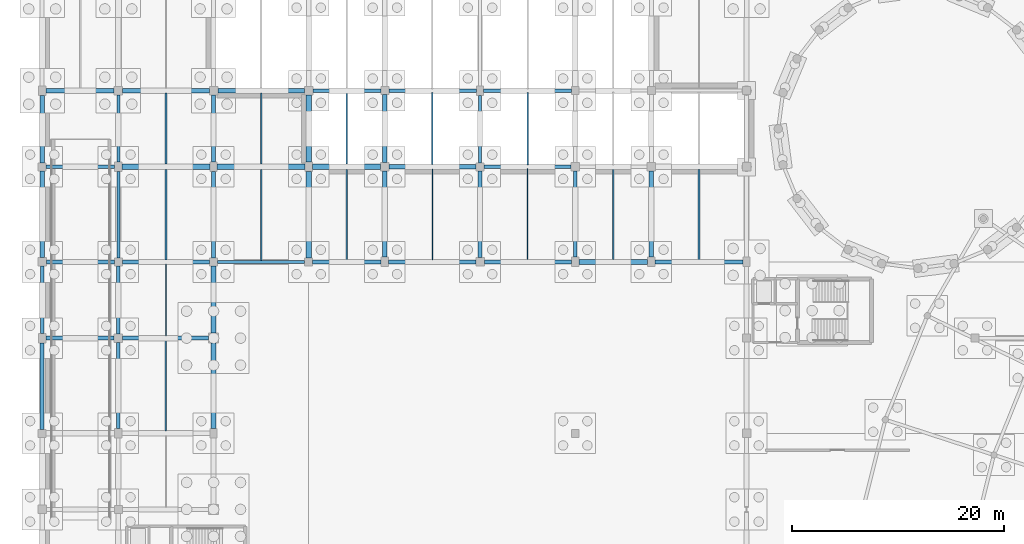
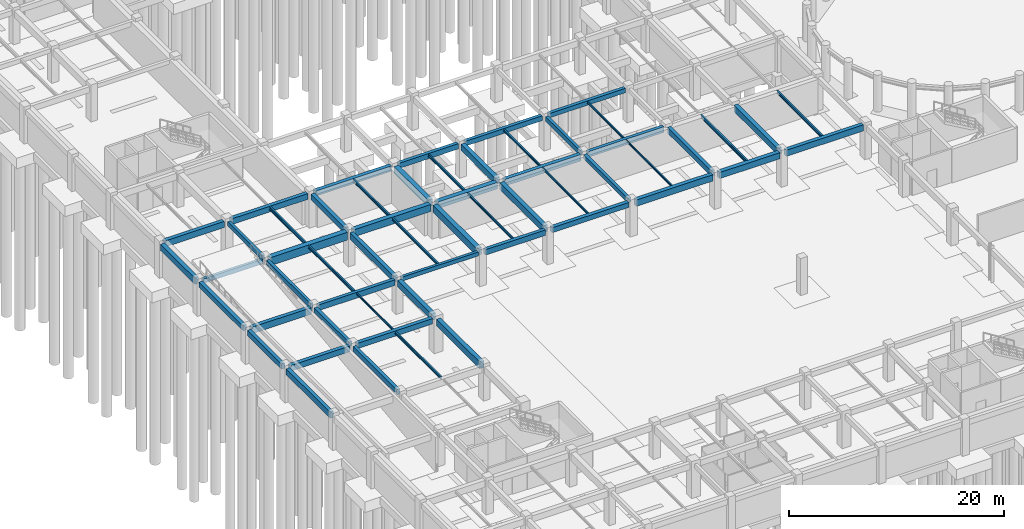
# One storey, part 18 of 42: 56 beams.
"""IFC4 building model written with IfcOpenShell, lengths in metres."""

from ifc_helpers import new_model, si_unit, direction, frame, origin, origin_2d, place, context, subcontext, project, spatial, rectangle, i_section, extrude, material, material_profile, profile_set, type_object, element, save


model = new_model("IFC4")

# Units and contexts
model_context = context("Model", 3, precision=1e-05, world=origin(), true_north=direction((0.0, 1.0)))
body_context = subcontext(model_context, "Body", "Model", "MODEL_VIEW")
ifc_project = project(units=[si_unit("LENGTHUNIT", "METRE"), si_unit("AREAUNIT", "SQUARE_METRE"), si_unit("VOLUMEUNIT", "CUBIC_METRE"), si_unit("PLANEANGLEUNIT", "RADIAN"), si_unit("MASSUNIT", "GRAM", prefix="KILO")], contexts=[model_context])

# Site, building, storey
site_placement = place(None, origin())
site = spatial("IfcSite", under=ifc_project, at=site_placement, CompositionType="ELEMENT")
building_placement = place(site_placement, origin())
building = spatial("IfcBuilding", under=site, at=building_placement, Name="Clarverna Civic Hall", CompositionType="ELEMENT")
storey_placement = place(building_placement, frame((0.0, 0.0, -4.199951171875)))
storey = spatial("IfcBuildingStorey", under=building, at=storey_placement, Name="B01", CompositionType="ELEMENT", Elevation=-4.199951171875)

# Beams
ifc_material_1 = material(Name="Concrete C35/45", Category="concrete")
ifc_material_profile_1 = material_profile(ifc_material_1, rectangle(XDim=0.35009765625, YDim=0.5, at=origin_2d()), Name="RC 350x500")
ifc_profile_set_1 = profile_set([ifc_material_profile_1], Name="Concrete C35/45")
beam_type_1 = type_object("IfcBeamType", Name="B-RC10", PredefinedType="BEAM", material=ifc_profile_set_1)
beam_1_placement = place(storey_placement, frame((41.75, 62.60009765625, 3.58984375), z_axis=(1.0, 0.0, 0.0), x_axis=(0.0, 1.0, 0.0)))
element("IfcBeam", 1, at=beam_1_placement, inside=storey, type_object=beam_type_1, Name="B-RC10-006", PredefinedType="BEAM", context=body_context, shape_type="SweptSolid", body=[
    extrude(rectangle(XDim=0.35009765625, YDim=0.5, at=origin_2d()), origin(), (0.0, 0.0, 1.0), 8.27490234375),
])
beam_2_placement = place(storey_placement, frame((7.199951171875, 39.60009765625, 3.58984375), z_axis=(0.0, 1.0, 0.0), x_axis=(-1.0, 0.0, 0.0)))
element("IfcBeam", 2, at=beam_2_placement, inside=storey, type_object=beam_type_1, Name="B-RC10-010", PredefinedType="BEAM", context=body_context, shape_type="SweptSolid", body=[
    extrude(rectangle(XDim=0.35009765625, YDim=0.5, at=origin_2d()), origin(), (0.0, 0.0, 1.0), 6.4248046875),
])
beam_3_placement = place(storey_placement, frame((41.39990234375, 46.800048828125, 3.58984375), z_axis=(0.0, 1.0, 0.0), x_axis=(-1.0, 0.0, 0.0)))
element("IfcBeam", 3, at=beam_3_placement, inside=storey, type_object=beam_type_1, Name="B-RC10-011", PredefinedType="BEAM", context=body_context, shape_type="SweptSolid", body=[
    extrude(rectangle(XDim=0.35009765625, YDim=0.5, at=origin_2d()), origin(), (0.0, 0.0, 1.0), 8.224853515625),
])
ifc_material_profile_2 = material_profile(ifc_material_1, rectangle(XDim=0.300048828125, YDim=0.550048828125, at=origin_2d()), Name="RC 300x550")
ifc_profile_set_2 = profile_set([ifc_material_profile_2], Name="Concrete C35/45")
beam_type_2 = type_object("IfcBeamType", Name="B-RC11", PredefinedType="BEAM", material=ifc_profile_set_2)
beam_4_placement = place(storey_placement, frame((7.199951171875, 46.77490234375, 3.56494140625), z_axis=(0.0, 1.0, 0.0), x_axis=(-1.0, 0.0, 0.0)))
element("IfcBeam", 4, at=beam_4_placement, inside=storey, type_object=beam_type_2, Name="B-RC11-010", PredefinedType="BEAM", context=body_context, shape_type="SweptSolid", body=[
    extrude(rectangle(XDim=0.300048828125, YDim=0.550048828125, at=origin_2d()), origin(), (0.0, 0.0, 1.0), 8.175048828125),
])
beam_5_placement = place(storey_placement, frame((41.39990234375, 55.77490234375, 3.56494140625), z_axis=(0.0, 1.0, 0.0), x_axis=(-1.0, 0.0, 0.0)))
element("IfcBeam", 5, at=beam_5_placement, inside=storey, type_object=beam_type_2, Name="B-RC11-011", PredefinedType="BEAM", context=body_context, shape_type="SweptSolid", body=[
    extrude(rectangle(XDim=0.300048828125, YDim=0.550048828125, at=origin_2d()), origin(), (0.0, 0.0, 1.0), 6.375),
])
ifc_material_profile_3 = material_profile(ifc_material_1, rectangle(XDim=0.300048828125, YDim=0.5, at=origin_2d()), Name="RC 300x500")
ifc_profile_set_3 = profile_set([ifc_material_profile_3], Name="Concrete C35/45")
beam_type_3 = type_object("IfcBeamType", Name="B-RC12", PredefinedType="BEAM", material=ifc_profile_set_3)
beam_6_placement = place(storey_placement, frame((0.375, 55.39990234375, 3.58984375), z_axis=(1.0, 0.0, 0.0), x_axis=(0.0, 1.0, 0.0)))
element("IfcBeam", 6, at=beam_6_placement, inside=storey, type_object=beam_type_3, Name="B-RC12-005", PredefinedType="BEAM", context=body_context, shape_type="SweptSolid", body=[
    extrude(rectangle(XDim=0.300048828125, YDim=0.5, at=origin_2d()), origin(), (0.0, 0.0, 1.0), 6.47509765625),
])
beam_7_placement = place(storey_placement, frame((7.199951171875, 55.85009765625, 3.58984375), z_axis=(0.0, 1.0, 0.0), x_axis=(-1.0, 0.0, 0.0)))
element("IfcBeam", 7, at=beam_7_placement, inside=storey, type_object=beam_type_3, Name="B-RC12-010", PredefinedType="BEAM", context=body_context, shape_type="SweptSolid", body=[
    extrude(rectangle(XDim=0.300048828125, YDim=0.5, at=origin_2d()), origin(), (0.0, 0.0, 1.0), 6.349853515625),
])
ifc_material_profile_4 = material_profile(ifc_material_1, rectangle(XDim=0.550048828125, YDim=0.89990234375, at=origin_2d()), Name="RC 550x900")
ifc_profile_set_4 = profile_set([ifc_material_profile_4], Name="Concrete C35/45")
beam_type_4 = type_object("IfcBeamType", Name="B-RC13", PredefinedType="BEAM", material=ifc_profile_set_4)
beam_8_placement = place(storey_placement, frame((7.550048828125, 55.39990234375, 3.389892578125), z_axis=(1.0, 0.0, 0.0), x_axis=(0.0, 1.0, 0.0)))
element("IfcBeam", 8, at=beam_8_placement, inside=storey, type_object=beam_type_4, Name="B-RC13-005", PredefinedType="BEAM", context=body_context, shape_type="SweptSolid", body=[
    extrude(rectangle(XDim=0.550048828125, YDim=0.89990234375, at=origin_2d()), origin(), (0.0, 0.0, 1.0), 8.300048828125),
])
ifc_material_profile_5 = material_profile(ifc_material_1, rectangle(XDim=0.5, YDim=0.800048828125, at=origin_2d()), Name="RC 500x800")
ifc_profile_set_5 = profile_set([ifc_material_profile_5], Name="Concrete C35/45")
beam_type_5 = type_object("IfcBeamType", Name="B-RC14", PredefinedType="BEAM", material=ifc_profile_set_5)
beam_9_placement = place(storey_placement, frame((16.550048828125, 55.39990234375, 3.43994140625), z_axis=(1.0, 0.0, 0.0), x_axis=(0.0, 1.0, 0.0)))
element("IfcBeam", 9, at=beam_9_placement, inside=storey, type_object=beam_type_5, Name="B-RC14-005", PredefinedType="BEAM", context=body_context, shape_type="SweptSolid", body=[
    extrude(rectangle(XDim=0.5, YDim=0.800048828125, at=origin_2d()), origin(), (0.0, 0.0, 1.0), 8.300048828125),
])
beam_10_placement = place(storey_placement, frame((25.199951171875, 46.77490234375, 3.43994140625), z_axis=(0.0, 1.0, 0.0), x_axis=(-1.0, 0.0, 0.0)))
element("IfcBeam", 10, at=beam_10_placement, inside=storey, type_object=beam_type_5, Name="B-RC14-010", PredefinedType="BEAM", context=body_context, shape_type="SweptSolid", body=[
    extrude(rectangle(XDim=0.5, YDim=0.800048828125, at=origin_2d()), origin(), (0.0, 0.0, 1.0), 8.175048828125),
])
ifc_material_profile_6 = material_profile(ifc_material_1, rectangle(XDim=0.5, YDim=0.75, at=origin_2d()), Name="RC 500x750")
ifc_profile_set_6 = profile_set([ifc_material_profile_6], Name="Concrete C35/45")
beam_type_6 = type_object("IfcBeamType", Name="B-RC15", PredefinedType="BEAM", material=ifc_profile_set_6)
beam_11_placement = place(storey_placement, frame((25.550048828125, 55.39990234375, 3.46484375), z_axis=(1.0, 0.0, 0.0), x_axis=(0.0, 1.0, 0.0)))
element("IfcBeam", 11, at=beam_11_placement, inside=storey, type_object=beam_type_6, Name="B-RC15-005", PredefinedType="BEAM", context=body_context, shape_type="SweptSolid", body=[
    extrude(rectangle(XDim=0.5, YDim=0.75, at=origin_2d()), origin(), (0.0, 0.0, 1.0), 6.449951171875),
])
beam_12_placement = place(storey_placement, frame((25.199951171875, 55.85009765625, 3.46484375), z_axis=(0.0, 1.0, 0.0), x_axis=(-1.0, 0.0, 0.0)))
element("IfcBeam", 12, at=beam_12_placement, inside=storey, type_object=beam_type_6, Name="B-RC15-010", PredefinedType="BEAM", context=body_context, shape_type="SweptSolid", body=[
    extrude(rectangle(XDim=0.5, YDim=0.75, at=origin_2d()), origin(), (0.0, 0.0, 1.0), 6.349853515625),
])
ifc_material_profile_7 = material_profile(ifc_material_1, rectangle(XDim=0.39990234375, YDim=0.75, at=origin_2d()), Name="RC 400x750")
ifc_profile_set_7 = profile_set([ifc_material_profile_7], Name="Concrete C35/45")
beam_type_7 = type_object("IfcBeamType", Name="B-RC16", PredefinedType="BEAM", material=ifc_profile_set_7)
beam_13_placement = place(storey_placement, frame((0.39990234375, 46.39990234375, 3.46484375), z_axis=(1.0, 0.0, 0.0), x_axis=(0.0, 1.0, 0.0)))
element("IfcBeam", 13, at=beam_13_placement, inside=storey, type_object=beam_type_7, Name="B-RC16-004", PredefinedType="BEAM", context=body_context, shape_type="SweptSolid", body=[
    extrude(rectangle(XDim=0.39990234375, YDim=0.75, at=origin_2d()), origin(), (0.0, 0.0, 1.0), 6.425048828125),
])
beam_14_placement = place(storey_placement, frame((32.800048828125, 55.39990234375, 3.46484375), z_axis=(1.0, 0.0, 0.0), x_axis=(0.0, 1.0, 0.0)))
element("IfcBeam", 14, at=beam_14_placement, inside=storey, type_object=beam_type_7, Name="B-RC16-005", PredefinedType="BEAM", context=body_context, shape_type="SweptSolid", body=[
    extrude(rectangle(XDim=0.39990234375, YDim=0.75, at=origin_2d()), origin(), (0.0, 0.0, 1.0), 8.224853515625),
])
ifc_material_profile_8 = material_profile(ifc_material_1, rectangle(XDim=0.35009765625, YDim=0.64990234375, at=origin_2d()), Name="RC 350x650")
ifc_profile_set_8 = profile_set([ifc_material_profile_8], Name="Concrete C35/45")
beam_type_8 = type_object("IfcBeamType", Name="B-RC17", PredefinedType="BEAM", material=ifc_profile_set_8)
beam_15_placement = place(storey_placement, frame((7.574951171875, 46.39990234375, 3.514892578125), z_axis=(1.0, 0.0, 0.0), x_axis=(0.0, 1.0, 0.0)))
element("IfcBeam", 15, at=beam_15_placement, inside=storey, type_object=beam_type_8, Name="B-RC17-004", PredefinedType="BEAM", context=body_context, shape_type="SweptSolid", body=[
    extrude(rectangle(XDim=0.35009765625, YDim=0.64990234375, at=origin_2d()), origin(), (0.0, 0.0, 1.0), 8.25),
])
beam_16_placement = place(storey_placement, frame((41.77490234375, 55.39990234375, 3.514892578125), z_axis=(1.0, 0.0, 0.0), x_axis=(0.0, 1.0, 0.0)))
element("IfcBeam", 16, at=beam_16_placement, inside=storey, type_object=beam_type_8, Name="B-RC17-005", PredefinedType="BEAM", context=body_context, shape_type="SweptSolid", body=[
    extrude(rectangle(XDim=0.35009765625, YDim=0.64990234375, at=origin_2d()), origin(), (0.0, 0.0, 1.0), 8.22509765625),
])
beam_17_placement = place(storey_placement, frame((50.39990234375, 46.85009765625, 3.514892578125), z_axis=(0.0, 1.0, 0.0), x_axis=(-1.0, 0.0, 0.0)))
element("IfcBeam", 17, at=beam_17_placement, inside=storey, type_object=beam_type_8, Name="B-RC17-012", PredefinedType="BEAM", context=body_context, shape_type="SweptSolid", body=[
    extrude(rectangle(XDim=0.35009765625, YDim=0.64990234375, at=origin_2d()), origin(), (0.0, 0.0, 1.0), 8.14990234375),
])
ifc_material_profile_9 = material_profile(ifc_material_1, rectangle(XDim=0.300048828125, YDim=0.449951171875, at=origin_2d()), Name="RC 300x450")
ifc_profile_set_9 = profile_set([ifc_material_profile_9], Name="Concrete C35/45")
beam_type_9 = type_object("IfcBeamType", Name="B-RC18", PredefinedType="BEAM", material=ifc_profile_set_9)
beam_18_placement = place(storey_placement, frame((16.574951171875, 46.39990234375, 3.614990234375), z_axis=(1.0, 0.0, 0.0), x_axis=(0.0, 1.0, 0.0)))
element("IfcBeam", 18, at=beam_18_placement, inside=storey, type_object=beam_type_9, Name="B-RC18-004", PredefinedType="BEAM", context=body_context, shape_type="SweptSolid", body=[
    extrude(rectangle(XDim=0.300048828125, YDim=0.449951171875, at=origin_2d()), origin(), (0.0, 0.0, 1.0), 8.25),
])
ifc_material_profile_10 = material_profile(ifc_material_1, rectangle(XDim=0.449951171875, YDim=0.75, at=origin_2d()), Name="RC 450x750")
ifc_profile_set_10 = profile_set([ifc_material_profile_10], Name="Concrete C35/45")
beam_type_10 = type_object("IfcBeamType", Name="B-RC3", PredefinedType="BEAM", material=ifc_profile_set_10)
beam_19_placement = place(storey_placement, frame((16.199951171875, 30.64990234375, 3.46484375), z_axis=(0.0, 1.0, 0.0), x_axis=(-1.0, 0.0, 0.0)))
element("IfcBeam", 19, at=beam_19_placement, inside=storey, type_object=beam_type_10, Name="B-RC3-008", PredefinedType="BEAM", context=body_context, shape_type="SweptSolid", body=[
    extrude(rectangle(XDim=0.449951171875, YDim=0.75, at=origin_2d()), origin(), (0.0, 0.0, 1.0), 8.0751953125),
])
beam_20_placement = place(storey_placement, frame((32.39990234375, 46.85009765625, 3.46484375), z_axis=(0.0, 1.0, 0.0), x_axis=(-1.0, 0.0, 0.0)))
element("IfcBeam", 20, at=beam_20_placement, inside=storey, type_object=beam_type_10, Name="B-RC3-009", PredefinedType="BEAM", context=body_context, shape_type="SweptSolid", body=[
    extrude(rectangle(XDim=0.449951171875, YDim=0.75, at=origin_2d()), origin(), (0.0, 0.0, 1.0), 8.14990234375),
])
ifc_material_profile_11 = material_profile(ifc_material_1, rectangle(XDim=0.449951171875, YDim=0.699951171875, at=origin_2d()), Name="RC 450x700")
ifc_profile_set_11 = profile_set([ifc_material_profile_11], Name="Concrete C35/45")
beam_type_11 = type_object("IfcBeamType", Name="B-RC4", PredefinedType="BEAM", material=ifc_profile_set_11)
beam_21_placement = place(storey_placement, frame((50.75, 46.39990234375, 3.489990234375), z_axis=(1.0, 0.0, 0.0), x_axis=(0.0, 1.0, 0.0)))
element("IfcBeam", 21, at=beam_21_placement, inside=storey, type_object=beam_type_11, Name="B-RC4-005", PredefinedType="BEAM", context=body_context, shape_type="SweptSolid", body=[
    extrude(rectangle(XDim=0.449951171875, YDim=0.699951171875, at=origin_2d()), origin(), (0.0, 0.0, 1.0), 6.5),
])
beam_22_placement = place(storey_placement, frame((16.199951171875, 39.675048828125, 3.489990234375), z_axis=(0.0, 1.0, 0.0), x_axis=(-1.0, 0.0, 0.0)))
element("IfcBeam", 22, at=beam_22_placement, inside=storey, type_object=beam_type_11, Name="B-RC4-010", PredefinedType="BEAM", context=body_context, shape_type="SweptSolid", body=[
    extrude(rectangle(XDim=0.449951171875, YDim=0.699951171875, at=origin_2d()), origin(), (0.0, 0.0, 1.0), 6.349853515625),
])
beam_23_placement = place(storey_placement, frame((32.39990234375, 55.800048828125, 3.489990234375), z_axis=(0.0, 1.0, 0.0), x_axis=(-1.0, 0.0, 0.0)))
element("IfcBeam", 23, at=beam_23_placement, inside=storey, type_object=beam_type_11, Name="B-RC4-011", PredefinedType="BEAM", context=body_context, shape_type="SweptSolid", body=[
    extrude(rectangle(XDim=0.449951171875, YDim=0.699951171875, at=origin_2d()), origin(), (0.0, 0.0, 1.0), 6.425048828125),
])
beam_24_placement = place(storey_placement, frame((57.60009765625, 46.85009765625, 3.489990234375), z_axis=(0.0, 1.0, 0.0), x_axis=(-1.0, 0.0, 0.0)))
element("IfcBeam", 24, at=beam_24_placement, inside=storey, type_object=beam_type_11, Name="B-RC4-012", PredefinedType="BEAM", context=body_context, shape_type="SweptSolid", body=[
    extrude(rectangle(XDim=0.449951171875, YDim=0.699951171875, at=origin_2d()), origin(), (0.0, 0.0, 1.0), 8.14990234375),
])
ifc_material_profile_12 = material_profile(ifc_material_1, rectangle(XDim=0.39990234375, YDim=0.699951171875, at=origin_2d()), Name="RC 400x700")
ifc_profile_set_12 = profile_set([ifc_material_profile_12], Name="Concrete C35/45")
beam_type_12 = type_object("IfcBeamType", Name="B-RC5", PredefinedType="BEAM", material=ifc_profile_set_12)
beam_25_placement = place(storey_placement, frame((57.949951171875, 46.39990234375, 3.489990234375), z_axis=(1.0, 0.0, 0.0), x_axis=(0.0, 1.0, 0.0)))
element("IfcBeam", 25, at=beam_25_placement, inside=storey, type_object=beam_type_12, Name="B-RC5-005", PredefinedType="BEAM", context=body_context, shape_type="SweptSolid", body=[
    extrude(rectangle(XDim=0.39990234375, YDim=0.699951171875, at=origin_2d()), origin(), (0.0, 0.0, 1.0), 8.300048828125),
])
beam_26_placement = place(storey_placement, frame((0.35009765625, 62.60009765625, 3.489990234375), z_axis=(1.0, 0.0, 0.0), x_axis=(0.0, 1.0, 0.0)))
element("IfcBeam", 26, at=beam_26_placement, inside=storey, type_object=beam_type_12, Name="B-RC5-006", PredefinedType="BEAM", context=body_context, shape_type="SweptSolid", body=[
    extrude(rectangle(XDim=0.39990234375, YDim=0.699951171875, at=origin_2d()), origin(), (0.0, 0.0, 1.0), 6.449951171875),
])
beam_27_placement = place(storey_placement, frame((16.199951171875, 46.77490234375, 3.489990234375), z_axis=(0.0, 1.0, 0.0), x_axis=(-1.0, 0.0, 0.0)))
element("IfcBeam", 27, at=beam_27_placement, inside=storey, type_object=beam_type_12, Name="B-RC5-011", PredefinedType="BEAM", context=body_context, shape_type="SweptSolid", body=[
    extrude(rectangle(XDim=0.39990234375, YDim=0.699951171875, at=origin_2d()), origin(), (0.0, 0.0, 1.0), 8.175048828125),
])
ifc_material_profile_13 = material_profile(ifc_material_1, rectangle(XDim=0.39990234375, YDim=0.64990234375, at=origin_2d()), Name="RC 400x650")
ifc_profile_set_13 = profile_set([ifc_material_profile_13], Name="Concrete C35/45")
beam_type_13 = type_object("IfcBeamType", Name="B-RC6", PredefinedType="BEAM", material=ifc_profile_set_13)
beam_28_placement = place(storey_placement, frame((0.35009765625, 39.199951171875, 3.514892578125), z_axis=(1.0, 0.0, 0.0), x_axis=(0.0, 1.0, 0.0)))
element("IfcBeam", 28, at=beam_28_placement, inside=storey, type_object=beam_type_13, Name="B-RC6-003", PredefinedType="BEAM", context=body_context, shape_type="SweptSolid", body=[
    extrude(rectangle(XDim=0.39990234375, YDim=0.64990234375, at=origin_2d()), origin(), (0.0, 0.0, 1.0), 6.449951171875),
])
beam_29_placement = place(storey_placement, frame((7.60009765625, 62.60009765625, 3.514892578125), z_axis=(1.0, 0.0, 0.0), x_axis=(0.0, 1.0, 0.0)))
element("IfcBeam", 29, at=beam_29_placement, inside=storey, type_object=beam_type_13, Name="B-RC6-005", PredefinedType="BEAM", context=body_context, shape_type="SweptSolid", body=[
    extrude(rectangle(XDim=0.39990234375, YDim=0.64990234375, at=origin_2d()), origin(), (0.0, 0.0, 1.0), 8.199951171875),
])
beam_30_placement = place(storey_placement, frame((16.199951171875, 55.85009765625, 3.514892578125), z_axis=(0.0, 1.0, 0.0), x_axis=(-1.0, 0.0, 0.0)))
element("IfcBeam", 30, at=beam_30_placement, inside=storey, type_object=beam_type_13, Name="B-RC6-009", PredefinedType="BEAM", context=body_context, shape_type="SweptSolid", body=[
    extrude(rectangle(XDim=0.39990234375, YDim=0.64990234375, at=origin_2d()), origin(), (0.0, 0.0, 1.0), 6.349853515625),
])
ifc_material_profile_14 = material_profile(ifc_material_1, rectangle(XDim=0.39990234375, YDim=0.60009765625, at=origin_2d()), Name="RC 400x600")
ifc_profile_set_14 = profile_set([ifc_material_profile_14], Name="Concrete C35/45")
beam_type_14 = type_object("IfcBeamType", Name="B-RC7", PredefinedType="BEAM", material=ifc_profile_set_14)
beam_31_placement = place(storey_placement, frame((7.60009765625, 39.199951171875, 3.5400390625), z_axis=(1.0, 0.0, 0.0), x_axis=(0.0, 1.0, 0.0)))
element("IfcBeam", 31, at=beam_31_placement, inside=storey, type_object=beam_type_14, Name="B-RC7-003", PredefinedType="BEAM", context=body_context, shape_type="SweptSolid", body=[
    extrude(rectangle(XDim=0.39990234375, YDim=0.60009765625, at=origin_2d()), origin(), (0.0, 0.0, 1.0), 8.125),
])
beam_32_placement = place(storey_placement, frame((16.60009765625, 62.60009765625, 3.5400390625), z_axis=(1.0, 0.0, 0.0), x_axis=(0.0, 1.0, 0.0)))
element("IfcBeam", 32, at=beam_32_placement, inside=storey, type_object=beam_type_14, Name="B-RC7-005", PredefinedType="BEAM", context=body_context, shape_type="SweptSolid", body=[
    extrude(rectangle(XDim=0.39990234375, YDim=0.60009765625, at=origin_2d()), origin(), (0.0, 0.0, 1.0), 8.199951171875),
])
ifc_material_profile_15 = material_profile(ifc_material_1, rectangle(XDim=0.35009765625, YDim=0.60009765625, at=origin_2d()), Name="RC 350x600")
ifc_profile_set_15 = profile_set([ifc_material_profile_15], Name="Concrete C35/45")
beam_type_15 = type_object("IfcBeamType", Name="B-RC8", PredefinedType="BEAM", material=ifc_profile_set_15)
beam_33_placement = place(storey_placement, frame((25.60009765625, 62.60009765625, 3.5400390625), z_axis=(1.0, 0.0, 0.0), x_axis=(0.0, 1.0, 0.0)))
element("IfcBeam", 33, at=beam_33_placement, inside=storey, type_object=beam_type_15, Name="B-RC8-005", PredefinedType="BEAM", context=body_context, shape_type="SweptSolid", body=[
    extrude(rectangle(XDim=0.35009765625, YDim=0.60009765625, at=origin_2d()), origin(), (0.0, 0.0, 1.0), 6.4248046875),
])
ifc_material_profile_16 = material_profile(ifc_material_1, rectangle(XDim=0.35009765625, YDim=0.550048828125, at=origin_2d()), Name="RC 350x550")
ifc_profile_set_16 = profile_set([ifc_material_profile_16], Name="Concrete C35/45")
beam_type_16 = type_object("IfcBeamType", Name="B-RC9", PredefinedType="BEAM", material=ifc_profile_set_16)
beam_34_placement = place(storey_placement, frame((32.77490234375, 62.60009765625, 3.56494140625), z_axis=(1.0, 0.0, 0.0), x_axis=(0.0, 1.0, 0.0)))
element("IfcBeam", 34, at=beam_34_placement, inside=storey, type_object=beam_type_16, Name="B-RC9-006", PredefinedType="BEAM", context=body_context, shape_type="SweptSolid", body=[
    extrude(rectangle(XDim=0.35009765625, YDim=0.550048828125, at=origin_2d()), origin(), (0.0, 0.0, 1.0), 8.275146484375),
])
beam_35_placement = place(storey_placement, frame((7.199951171875, 30.64990234375, 3.56494140625), z_axis=(0.0, 1.0, 0.0), x_axis=(-1.0, 0.0, 0.0)))
element("IfcBeam", 35, at=beam_35_placement, inside=storey, type_object=beam_type_16, Name="B-RC9-009", PredefinedType="BEAM", context=body_context, shape_type="SweptSolid", body=[
    extrude(rectangle(XDim=0.35009765625, YDim=0.550048828125, at=origin_2d()), origin(), (0.0, 0.0, 1.0), 8.150146484375),
])
ifc_material_profile_17 = material_profile(ifc_material_1, rectangle(XDim=0.419921875, YDim=0.719970703125, at=origin_2d()), Name="RC 420x720")
ifc_profile_set_17 = profile_set([ifc_material_profile_17], Name="Concrete C35/45")
beam_type_17 = type_object("IfcBeamType", Name="B-SP1", PredefinedType="SPANDREL", material=ifc_profile_set_17)
beam_36_placement = place(storey_placement, frame((41.800048828125, 46.39990234375, 3.47998046875), z_axis=(1.0, 0.0, 0.0), x_axis=(0.0, 1.0, 0.0)))
element("IfcBeam", 36, at=beam_36_placement, inside=storey, type_object=beam_type_17, Name="B-SP1-006", PredefinedType="SPANDREL", context=body_context, shape_type="SweptSolid", body=[
    extrude(rectangle(XDim=0.419921875, YDim=0.719970703125, at=origin_2d()), origin(), (0.0, 0.0, 1.0), 8.25),
])
beam_37_placement = place(storey_placement, frame((0.0, 55.77490234375, 3.47998046875), z_axis=(0.0, 1.0, 0.0), x_axis=(-1.0, 0.0, 0.0)))
element("IfcBeam", 37, at=beam_37_placement, inside=storey, type_object=beam_type_17, Name="B-SP1-018", PredefinedType="SPANDREL", context=body_context, shape_type="SweptSolid", body=[
    extrude(rectangle(XDim=0.419921875, YDim=0.719970703125, at=origin_2d()), origin(), (0.0, 0.0, 1.0), 6.375),
])
ifc_material_profile_18 = material_profile(ifc_material_1, rectangle(XDim=0.3798828125, YDim=0.679931640625, at=origin_2d()), Name="RC 380x680")
ifc_profile_set_18 = profile_set([ifc_material_profile_18], Name="Concrete C35/45")
beam_type_18 = type_object("IfcBeamType", Name="B-SP2", PredefinedType="SPANDREL", material=ifc_profile_set_18)
beam_38_placement = place(storey_placement, frame((0.0, 30.574951171875, 3.5), z_axis=(0.0, 1.0, 0.0), x_axis=(-1.0, 0.0, 0.0)))
element("IfcBeam", 38, at=beam_38_placement, inside=storey, type_object=beam_type_18, Name="B-SP2-017", PredefinedType="SPANDREL", context=body_context, shape_type="SweptSolid", body=[
    extrude(rectangle(XDim=0.3798828125, YDim=0.679931640625, at=origin_2d()), origin(), (0.0, 0.0, 1.0), 8.175048828125),
])
ifc_material_profile_19 = material_profile(ifc_material_1, rectangle(XDim=0.360107421875, YDim=0.6201171875, at=origin_2d()), Name="RC 360x620")
ifc_profile_set_19 = profile_set([ifc_material_profile_19], Name="Concrete C35/45")
beam_type_19 = type_object("IfcBeamType", Name="B-SP3", PredefinedType="SPANDREL", material=ifc_profile_set_19)
beam_39_placement = place(storey_placement, frame((25.574951171875, 46.39990234375, 3.530029296875), z_axis=(1.0, 0.0, 0.0), x_axis=(0.0, 1.0, 0.0)))
element("IfcBeam", 39, at=beam_39_placement, inside=storey, type_object=beam_type_19, Name="B-SP3-007", PredefinedType="SPANDREL", context=body_context, shape_type="SweptSolid", body=[
    extrude(rectangle(XDim=0.360107421875, YDim=0.6201171875, at=origin_2d()), origin(), (0.0, 0.0, 1.0), 6.47509765625),
])
beam_40_placement = place(storey_placement, frame((0.0, 39.64990234375, 3.530029296875), z_axis=(0.0, 1.0, 0.0), x_axis=(-1.0, 0.0, 0.0)))
element("IfcBeam", 40, at=beam_40_placement, inside=storey, type_object=beam_type_19, Name="B-SP3-017", PredefinedType="SPANDREL", context=body_context, shape_type="SweptSolid", body=[
    extrude(rectangle(XDim=0.360107421875, YDim=0.6201171875, at=origin_2d()), origin(), (0.0, 0.0, 1.0), 6.35009765625),
])
ifc_material_profile_20 = material_profile(ifc_material_1, rectangle(XDim=0.39990234375, YDim=0.56005859375, at=origin_2d()), Name="RC 400x560")
ifc_profile_set_20 = profile_set([ifc_material_profile_20], Name="Concrete C35/45")
beam_type_20 = type_object("IfcBeamType", Name="B-SP4", PredefinedType="SPANDREL", material=ifc_profile_set_20)
beam_41_placement = place(storey_placement, frame((32.75, 46.39990234375, 3.56005859375), z_axis=(1.0, 0.0, 0.0), x_axis=(0.0, 1.0, 0.0)))
element("IfcBeam", 41, at=beam_41_placement, inside=storey, type_object=beam_type_20, Name="B-SP4-007", PredefinedType="SPANDREL", context=body_context, shape_type="SweptSolid", body=[
    extrude(rectangle(XDim=0.39990234375, YDim=0.56005859375, at=origin_2d()), origin(), (0.0, 0.0, 1.0), 8.25),
])
beam_42_placement = place(storey_placement, frame((0.0, 46.800048828125, 3.56005859375), z_axis=(0.0, 1.0, 0.0), x_axis=(-1.0, 0.0, 0.0)))
element("IfcBeam", 42, at=beam_42_placement, inside=storey, type_object=beam_type_20, Name="B-SP4-017", PredefinedType="SPANDREL", context=body_context, shape_type="SweptSolid", body=[
    extrude(rectangle(XDim=0.39990234375, YDim=0.56005859375, at=origin_2d()), origin(), (0.0, 0.0, 1.0), 8.224853515625),
])
ifc_material_2 = material(Name="Steel S355", Category="steel")
ifc_material_profile_21 = material_profile(ifc_material_2, i_section(OverallWidth=0.169921875, OverallDepth=0.360107421875, WebThickness=0.008056640625, FlangeThickness=0.0126953125, FilletRadius=0.01806640625, at=origin_2d()), Name="IPE 360")
ifc_profile_set_21 = profile_set([ifc_material_profile_21], Name="Steel S355")
beam_type_21 = type_object("IfcBeamType", Name="J-ST1", PredefinedType="JOIST", material=ifc_profile_set_21)
beam_43_placement = place(storey_placement, frame((54.0, 46.625, 3.659912109375), z_axis=(0.0, 1.0, 0.0), x_axis=(-1.0, 0.0, 0.0)))
element("IfcBeam", 43, at=beam_43_placement, inside=storey, type_object=beam_type_21, Name="J-ST1-012", PredefinedType="JOIST", context=body_context, shape_type="SweptSolid", body=[
    extrude(i_section(OverallWidth=0.169921875, OverallDepth=0.360107421875, WebThickness=0.008056640625, FlangeThickness=0.0126953125, FilletRadius=0.01806640625, at=origin_2d()), origin(), (0.0, 0.0, 1.0), 8.625),
])
beam_44_placement = place(storey_placement, frame((11.699951171875, 55.675048828125, 3.659912109375), z_axis=(0.0, 1.0, 0.0), x_axis=(-1.0, 0.0, 0.0)))
element("IfcBeam", 44, at=beam_44_placement, inside=storey, type_object=beam_type_21, Name="J-ST1-013", PredefinedType="JOIST", context=body_context, shape_type="SweptSolid", body=[
    extrude(i_section(OverallWidth=0.169921875, OverallDepth=0.360107421875, WebThickness=0.008056640625, FlangeThickness=0.0126953125, FilletRadius=0.01806640625, at=origin_2d()), origin(), (0.0, 0.0, 1.0), 6.724853515625),
])
ifc_material_profile_22 = material_profile(ifc_material_2, i_section(OverallWidth=0.159912109375, OverallDepth=0.330078125, WebThickness=0.007568359375, FlangeThickness=0.011474609375, FilletRadius=0.01806640625, at=origin_2d()), Name="IPE 330")
ifc_profile_set_22 = profile_set([ifc_material_profile_22], Name="Steel S355")
beam_type_22 = type_object("IfcBeamType", Name="J-ST2", PredefinedType="JOIST", material=ifc_profile_set_22)
beam_45_placement = place(storey_placement, frame((11.699951171875, 46.574951171875, 3.675048828125), z_axis=(0.0, 1.0, 0.0), x_axis=(-1.0, 0.0, 0.0)))
element("IfcBeam", 45, at=beam_45_placement, inside=storey, type_object=beam_type_22, Name="J-ST2-011", PredefinedType="JOIST", context=body_context, shape_type="SweptSolid", body=[
    extrude(i_section(OverallWidth=0.159912109375, OverallDepth=0.330078125, WebThickness=0.007568359375, FlangeThickness=0.011474609375, FilletRadius=0.01806640625, at=origin_2d()), origin(), (0.0, 0.0, 1.0), 8.550048828125),
])
beam_46_placement = place(storey_placement, frame((62.10009765625, 46.60009765625, 3.675048828125), z_axis=(0.0, 1.0, 0.0), x_axis=(-1.0, 0.0, 0.0)))
element("IfcBeam", 46, at=beam_46_placement, inside=storey, type_object=beam_type_22, Name="J-ST2-012", PredefinedType="JOIST", context=body_context, shape_type="SweptSolid", body=[
    extrude(i_section(OverallWidth=0.159912109375, OverallDepth=0.330078125, WebThickness=0.007568359375, FlangeThickness=0.011474609375, FilletRadius=0.01806640625, at=origin_2d()), origin(), (0.0, 0.0, 1.0), 8.5498046875),
])
beam_47_placement = place(storey_placement, frame((20.699951171875, 55.64990234375, 3.675048828125), z_axis=(0.0, 1.0, 0.0), x_axis=(-1.0, 0.0, 0.0)))
element("IfcBeam", 47, at=beam_47_placement, inside=storey, type_object=beam_type_22, Name="J-ST2-013", PredefinedType="JOIST", context=body_context, shape_type="SweptSolid", body=[
    extrude(i_section(OverallWidth=0.159912109375, OverallDepth=0.330078125, WebThickness=0.007568359375, FlangeThickness=0.011474609375, FilletRadius=0.01806640625, at=origin_2d()), origin(), (0.0, 0.0, 1.0), 6.75),
])
ifc_material_profile_23 = material_profile(ifc_material_2, i_section(OverallWidth=0.14990234375, OverallDepth=0.300048828125, WebThickness=0.007080078125, FlangeThickness=0.0107421875, FilletRadius=0.014892578125, at=origin_2d()), Name="IPE 300")
ifc_profile_set_23 = profile_set([ifc_material_profile_23], Name="Steel S355")
beam_type_23 = type_object("IfcBeamType", Name="J-ST3", PredefinedType="JOIST", material=ifc_profile_set_23)
beam_48_placement = place(storey_placement, frame((11.699951171875, 30.39990234375, 3.68994140625), z_axis=(0.0, 1.0, 0.0), x_axis=(-1.0, 0.0, 0.0)))
element("IfcBeam", 48, at=beam_48_placement, inside=storey, type_object=beam_type_23, Name="J-ST3-008", PredefinedType="JOIST", context=body_context, shape_type="SweptSolid", body=[
    extrude(i_section(OverallWidth=0.14990234375, OverallDepth=0.300048828125, WebThickness=0.007080078125, FlangeThickness=0.0107421875, FilletRadius=0.014892578125, at=origin_2d()), origin(), (0.0, 0.0, 1.0), 8.60009765625),
])
beam_49_placement = place(storey_placement, frame((20.699951171875, 46.550048828125, 3.68994140625), z_axis=(0.0, 1.0, 0.0), x_axis=(-1.0, 0.0, 0.0)))
element("IfcBeam", 49, at=beam_49_placement, inside=storey, type_object=beam_type_23, Name="J-ST3-011", PredefinedType="JOIST", context=body_context, shape_type="SweptSolid", body=[
    extrude(i_section(OverallWidth=0.14990234375, OverallDepth=0.300048828125, WebThickness=0.007080078125, FlangeThickness=0.0107421875, FilletRadius=0.014892578125, at=origin_2d()), origin(), (0.0, 0.0, 1.0), 8.599853515625),
])
beam_50_placement = place(storey_placement, frame((28.800048828125, 55.64990234375, 3.68994140625), z_axis=(0.0, 1.0, 0.0), x_axis=(-1.0, 0.0, 0.0)))
element("IfcBeam", 50, at=beam_50_placement, inside=storey, type_object=beam_type_23, Name="J-ST3-013", PredefinedType="JOIST", context=body_context, shape_type="SweptSolid", body=[
    extrude(i_section(OverallWidth=0.14990234375, OverallDepth=0.300048828125, WebThickness=0.007080078125, FlangeThickness=0.0107421875, FilletRadius=0.014892578125, at=origin_2d()), origin(), (0.0, 0.0, 1.0), 6.775146484375),
])
ifc_material_profile_24 = material_profile(ifc_material_2, i_section(OverallWidth=0.135009765625, OverallDepth=0.27001953125, WebThickness=0.006591796875, FlangeThickness=0.01025390625, FilletRadius=0.014892578125, at=origin_2d()), Name="IPE 270")
ifc_profile_set_24 = profile_set([ifc_material_profile_24], Name="Steel S355")
beam_type_24 = type_object("IfcBeamType", Name="J-ST4", PredefinedType="JOIST", material=ifc_profile_set_24)
beam_51_placement = place(storey_placement, frame((28.800048828125, 46.580078125, 3.704833984375), z_axis=(0.0, 1.0, 0.0), x_axis=(-1.0, 0.0, 0.0)))
element("IfcBeam", 51, at=beam_51_placement, inside=storey, type_object=beam_type_24, Name="J-ST4-013", PredefinedType="JOIST", context=body_context, shape_type="SweptSolid", body=[
    extrude(i_section(OverallWidth=0.135009765625, OverallDepth=0.27001953125, WebThickness=0.006591796875, FlangeThickness=0.01025390625, FilletRadius=0.014892578125, at=origin_2d()), origin(), (0.0, 0.0, 1.0), 8.56982421875),
])
beam_52_placement = place(storey_placement, frame((36.89990234375, 55.60009765625, 3.704833984375), z_axis=(0.0, 1.0, 0.0), x_axis=(-1.0, 0.0, 0.0)))
element("IfcBeam", 52, at=beam_52_placement, inside=storey, type_object=beam_type_24, Name="J-ST4-015", PredefinedType="JOIST", context=body_context, shape_type="SweptSolid", body=[
    extrude(i_section(OverallWidth=0.135009765625, OverallDepth=0.27001953125, WebThickness=0.006591796875, FlangeThickness=0.01025390625, FilletRadius=0.014892578125, at=origin_2d()), origin(), (0.0, 0.0, 1.0), 6.824951171875),
])
ifc_material_profile_25 = material_profile(ifc_material_2, i_section(OverallWidth=0.1201171875, OverallDepth=0.239990234375, WebThickness=0.006103515625, FlangeThickness=0.009765625, FilletRadius=0.014892578125, at=origin_2d()), Name="IPE 240")
ifc_profile_set_25 = profile_set([ifc_material_profile_25], Name="Steel S355")
beam_type_25 = type_object("IfcBeamType", Name="J-ST5", PredefinedType="JOIST", material=ifc_profile_set_25)
beam_53_placement = place(storey_placement, frame((36.89990234375, 46.60009765625, 3.719970703125), z_axis=(0.0, 1.0, 0.0), x_axis=(-1.0, 0.0, 0.0)))
element("IfcBeam", 53, at=beam_53_placement, inside=storey, type_object=beam_type_25, Name="J-ST5-011", PredefinedType="JOIST", context=body_context, shape_type="SweptSolid", body=[
    extrude(i_section(OverallWidth=0.1201171875, OverallDepth=0.239990234375, WebThickness=0.006103515625, FlangeThickness=0.009765625, FilletRadius=0.014892578125, at=origin_2d()), origin(), (0.0, 0.0, 1.0), 8.599853515625),
])
beam_54_placement = place(storey_placement, frame((45.89990234375, 55.574951171875, 3.719970703125), z_axis=(0.0, 1.0, 0.0), x_axis=(-1.0, 0.0, 0.0)))
element("IfcBeam", 54, at=beam_54_placement, inside=storey, type_object=beam_type_25, Name="J-ST5-013", PredefinedType="JOIST", context=body_context, shape_type="SweptSolid", body=[
    extrude(i_section(OverallWidth=0.1201171875, OverallDepth=0.239990234375, WebThickness=0.006103515625, FlangeThickness=0.009765625, FilletRadius=0.014892578125, at=origin_2d()), origin(), (0.0, 0.0, 1.0), 6.85009765625),
])
ifc_material_profile_26 = material_profile(ifc_material_2, i_section(OverallWidth=0.110107421875, OverallDepth=0.219970703125, WebThickness=0.005859375, FlangeThickness=0.00927734375, FilletRadius=0.011962890625, at=origin_2d()), Name="IPE 220")
ifc_profile_set_26 = profile_set([ifc_material_profile_26], Name="Steel S355")
beam_type_26 = type_object("IfcBeamType", Name="J-ST6", PredefinedType="JOIST", material=ifc_profile_set_26)
beam_55_placement = place(storey_placement, frame((11.699951171875, 39.39990234375, 3.72998046875), z_axis=(0.0, 1.0, 0.0), x_axis=(-1.0, 0.0, 0.0)))
element("IfcBeam", 55, at=beam_55_placement, inside=storey, type_object=beam_type_26, Name="J-ST6-011", PredefinedType="JOIST", context=body_context, shape_type="SweptSolid", body=[
    extrude(i_section(OverallWidth=0.110107421875, OverallDepth=0.219970703125, WebThickness=0.005859375, FlangeThickness=0.00927734375, FilletRadius=0.011962890625, at=origin_2d()), origin(), (0.0, 0.0, 1.0), 6.8251953125),
])
beam_56_placement = place(storey_placement, frame((45.89990234375, 46.610107421875, 3.72998046875), z_axis=(0.0, 1.0, 0.0), x_axis=(-1.0, 0.0, 0.0)))
element("IfcBeam", 56, at=beam_56_placement, inside=storey, type_object=beam_type_26, Name="J-ST6-013", PredefinedType="JOIST", context=body_context, shape_type="SweptSolid", body=[
    extrude(i_section(OverallWidth=0.110107421875, OverallDepth=0.219970703125, WebThickness=0.005859375, FlangeThickness=0.00927734375, FilletRadius=0.011962890625, at=origin_2d()), origin(), (0.0, 0.0, 1.0), 8.614990234375),
])

save(model, "model.ifc")
